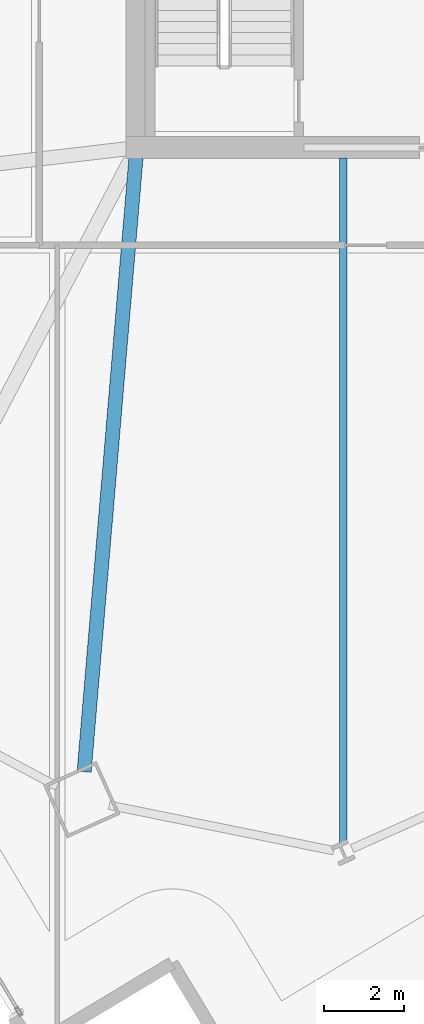
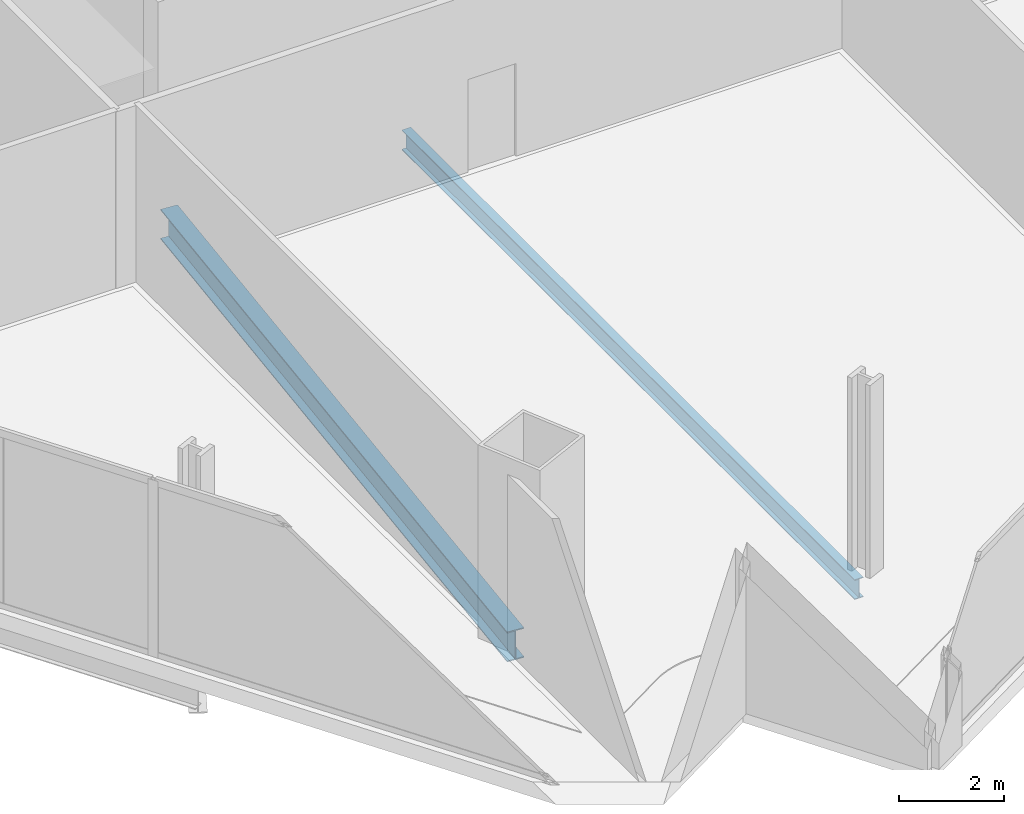
# One storey, part 3 of 30: 2 beams.
"""IFC4 building model written with IfcOpenShell, lengths in metres."""

from ifc_helpers import new_model, si_unit, direction, frame, origin, origin_2d, place, context, subcontext, project, spatial, i_section, extrude, material, material_profile, profile_set, type_object, element, save


model = new_model("IFC4")

# Units and contexts
model_context = context("Model", 3, precision=1e-05, world=origin(), true_north=direction((0.0, 1.0)))
body_context = subcontext(model_context, "Body", "Model", "MODEL_VIEW")
ifc_project = project(units=[si_unit("LENGTHUNIT", "METRE"), si_unit("AREAUNIT", "SQUARE_METRE"), si_unit("VOLUMEUNIT", "CUBIC_METRE"), si_unit("PLANEANGLEUNIT", "RADIAN"), si_unit("MASSUNIT", "GRAM", prefix="KILO")], contexts=[model_context])

# Site, building, storey
site_placement = place(None, origin())
site = spatial("IfcSite", under=ifc_project, at=site_placement, CompositionType="ELEMENT")
building_placement = place(site_placement, origin())
building = spatial("IfcBuilding", under=site, at=building_placement, Name="Haldenkirk Collegiate Tower", CompositionType="ELEMENT")
storey_placement = place(building_placement, frame((0.0, 0.0, 131.699951171875)))
storey = spatial("IfcBuildingStorey", under=building, at=storey_placement, Name="L32", CompositionType="ELEMENT", Elevation=131.699951171875)

# Beams
ifc_material = material(Name="Steel ASTM A992 Grade 50", Category="steel")
ifc_material_profile_1 = material_profile(ifc_material, i_section(OverallWidth=0.35498046875, OverallDepth=0.696044921875, WebThickness=0.015380859375, FlangeThickness=0.02490234375, at=origin_2d()), Name="W27X146")
ifc_profile_set_1 = profile_set([ifc_material_profile_1], Name="Steel ASTM A992 Grade 50")
beam_type_1 = type_object("IfcBeamType", Name="BM-GIRDER-W27X146", PredefinedType="BEAM", material=ifc_profile_set_1)
beam_1_placement = place(storey_placement, frame((25.67578125, 2.3203125, -0.697998046875), z_axis=(0.084153524607, 0.996452800837, 0.0), x_axis=(-0.996452800837, 0.084153524607, 0.0)))
element("IfcBeam", 1, at=beam_1_placement, inside=storey, type_object=beam_type_1, Name="L32 primary floor girder 01", PredefinedType="BEAM", context=body_context, shape_type="SweptSolid", body=[
    extrude(i_section(OverallWidth=0.35498046875, OverallDepth=0.696044921875, WebThickness=0.015380859375, FlangeThickness=0.02490234375, at=origin_2d()), origin(), (0.0, 0.0, 1.0), 15.48046875),
])
ifc_material_profile_2 = material_profile(ifc_material, i_section(OverallWidth=0.19189453125, OverallDepth=0.462890625, WebThickness=0.010498046875, FlangeThickness=0.017578125, at=origin_2d()), Name="W18X60")
ifc_profile_set_2 = profile_set([ifc_material_profile_2], Name="Steel ASTM A992 Grade 50")
beam_type_2 = type_object("IfcBeamType", Name="BM-JOIST-W18X60", PredefinedType="JOIST", material=ifc_profile_set_2)
beam_2_placement = place(storey_placement, frame((32.181396484375, 0.53271484375, -0.58154296875), z_axis=(0.0, 1.0, 0.0), x_axis=(-1.0, 0.0, 0.0)))
element("IfcBeam", 2, at=beam_2_placement, inside=storey, type_object=beam_type_2, Name="L32 composite floor joist 05", PredefinedType="JOIST", context=body_context, shape_type="SweptSolid", body=[
    extrude(i_section(OverallWidth=0.19189453125, OverallDepth=0.462890625, WebThickness=0.010498046875, FlangeThickness=0.017578125, at=origin_2d()), origin(), (0.0, 0.0, 1.0), 17.21240234375),
])

save(model, "model.ifc")
